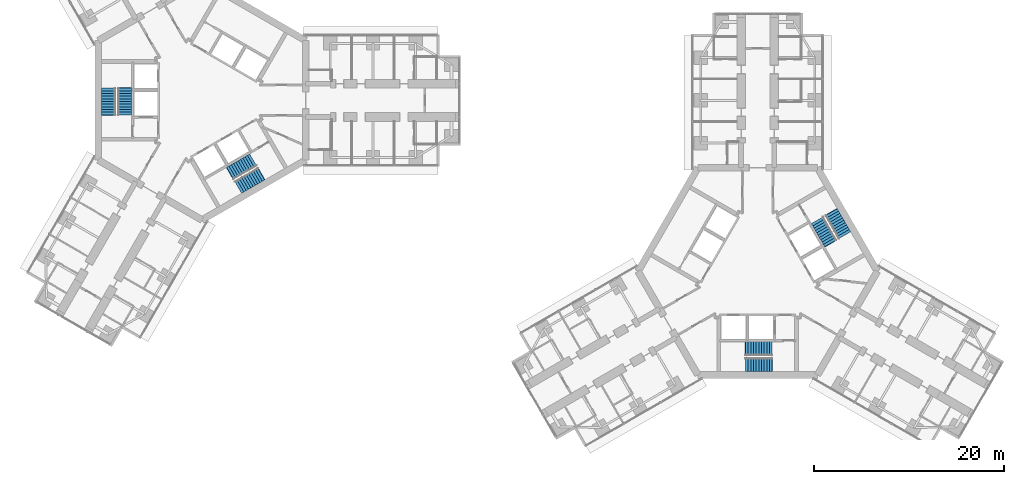
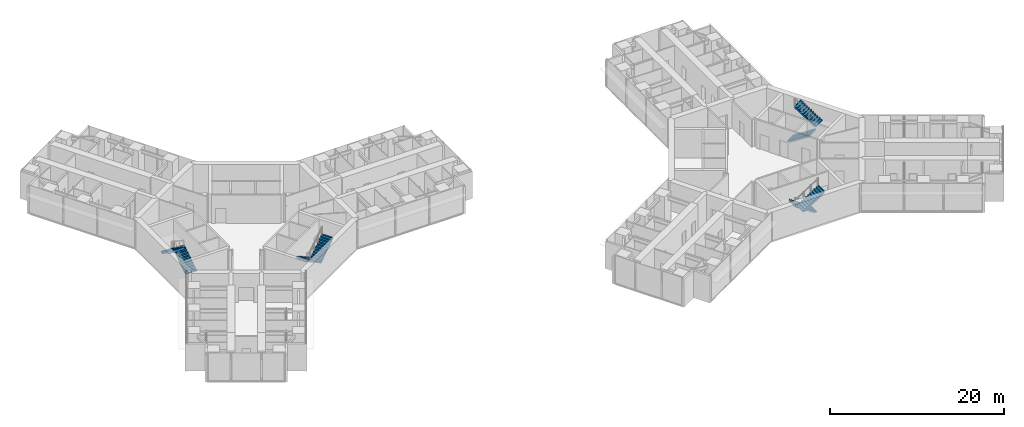
# One storey, part 24 of 25: 8 stair flights, 4 elements without a shape of their own.
"""IFC4 building model written with IfcOpenShell, lengths in metres."""

from ifc_helpers import new_model, si_unit, direction, frame, origin, place, context, subcontext, project, spatial, polyline, outline, extrude, material, type_object, element, aggregate, save


model = new_model("IFC4")

# Units and contexts
model_context = context("Model", 3, precision=1e-05, world=origin(), true_north=direction((0.0, 1.0)))
body_context = subcontext(model_context, "Body", "Model", "MODEL_VIEW")
ifc_project = project(units=[si_unit("LENGTHUNIT", "METRE"), si_unit("AREAUNIT", "SQUARE_METRE"), si_unit("VOLUMEUNIT", "CUBIC_METRE"), si_unit("PLANEANGLEUNIT", "RADIAN"), si_unit("MASSUNIT", "GRAM", prefix="KILO")], contexts=[model_context])

# Site, building, storey
site_placement = place(None, origin())
site = spatial("IfcSite", under=ifc_project, at=site_placement, CompositionType="ELEMENT")
building_placement = place(site_placement, origin())
building = spatial("IfcBuilding", under=site, at=building_placement, Name="Upepo Twin Towers", CompositionType="ELEMENT")
storey_placement = place(building_placement, frame((0.0, 0.0, 80.5)))
storey = spatial("IfcBuildingStorey", under=building, at=storey_placement, Name="L19", CompositionType="ELEMENT", Elevation=80.5)

# Stair, stair flights
ifc_material_1 = material(Name="Concrete C40/50", Category="concrete")
stair_type = type_object("IfcStairType", Name="Core stair, two flights", PredefinedType="HALF_TURN_STAIR", material=ifc_material_1)
stair_1_placement = place(storey_placement, origin())
stair_1 = element("IfcStair", 1, at=stair_1_placement, inside=storey, type_object=stair_type, Name="T1 stair S1 L19", PredefinedType="HALF_TURN_STAIR")
ifc_material_2 = material(Name="Concrete C40/50", Category="concrete")
stair_flight_type = type_object("IfcStairFlightType", Name="Stair flight 1450 RC", PredefinedType="STRAIGHT", material=ifc_material_2)
stair_flight_1_placement = place(storey_placement, frame((-8.125, -1.52001953125, 0.0), z_axis=(0.0, 0.0, 1.0), x_axis=(0.0, 1.0, 0.0)))
stair_flight_1 = element("IfcStairFlight", 2, at=stair_flight_1_placement, type_object=stair_flight_type, Name="Stair S1 flight 1", NumberOfRisers=11, NumberOfTreads=10, PredefinedType="STRAIGHT", RiserHeight=0.181818182, TreadLength=0.28, context=body_context, shape_type="SweptSolid", body=[
    extrude(outline(polyline([(0.0, 0.0), (0.0, 0.181884765625), (0.280029296875, 0.181884765625), (0.280029296875, 0.363525390625), (0.56005859375, 0.363525390625), (0.56005859375, 0.54541015625), (0.840087890625, 0.54541015625), (0.840087890625, 0.727294921875), (1.1201171875, 0.727294921875), (1.1201171875, 0.9091796875), (1.39990234375, 0.9091796875), (1.39990234375, 1.0908203125), (1.679931640625, 1.0908203125), (1.679931640625, 1.272705078125), (1.9599609375, 1.272705078125), (1.9599609375, 1.45458984375), (2.239990234375, 1.45458984375), (2.239990234375, 1.636474609375), (2.52001953125, 1.636474609375), (2.52001953125, 1.818115234375), (2.800048828125, 1.818115234375), (2.800048828125, 2.0), (2.85009765625, 2.0), (2.85009765625, 1.639404296875), (0.3251953125, 0.0), (0.0, 0.0)])), frame((0.0, 0.72509765625, 0.0), z_axis=(0.0, -1.0, 0.0), x_axis=(1.0, 0.0, 0.0)), (0.0, 0.0, 1.0), 1.449951171875),
])
stair_flight_2_placement = place(storey_placement, frame((-9.833251953125, 1.280029296875, 2.0), z_axis=(0.0, 0.0, 1.0), x_axis=(0.0, -1.0, 0.0)))
stair_flight_2 = element("IfcStairFlight", 3, at=stair_flight_2_placement, type_object=stair_flight_type, Name="Stair S1 flight 2", NumberOfRisers=11, NumberOfTreads=10, PredefinedType="STRAIGHT", RiserHeight=0.181818182, TreadLength=0.28, context=body_context, shape_type="SweptSolid", body=[
    extrude(outline(polyline([(0.0, 0.0), (0.0, 0.181884765625), (0.280029296875, 0.181884765625), (0.280029296875, 0.363525390625), (0.56005859375, 0.363525390625), (0.56005859375, 0.54541015625), (0.840087890625, 0.54541015625), (0.840087890625, 0.727294921875), (1.1201171875, 0.727294921875), (1.1201171875, 0.9091796875), (1.39990234375, 0.9091796875), (1.39990234375, 1.0908203125), (1.679931640625, 1.0908203125), (1.679931640625, 1.272705078125), (1.9599609375, 1.272705078125), (1.9599609375, 1.45458984375), (2.239990234375, 1.45458984375), (2.239990234375, 1.636474609375), (2.52001953125, 1.636474609375), (2.52001953125, 1.818115234375), (2.800048828125, 1.818115234375), (2.800048828125, 2.0), (2.85009765625, 2.0), (2.85009765625, 1.639404296875), (0.3251953125, 0.0), (0.0, 0.0)])), frame((0.0, 0.72509765625, 0.0), z_axis=(0.0, -1.0, 0.0), x_axis=(1.0, 0.0, 0.0)), (0.0, 0.0, 1.0), 1.449951171875),
])
aggregate(stair_1, [stair_flight_1, stair_flight_2])

stair_2_placement = place(storey_placement, origin())
stair_2 = element("IfcStair", 4, at=stair_2_placement, inside=storey, type_object=stair_type, Name="T1 stair S2 L19", PredefinedType="HALF_TURN_STAIR")
stair_flight_3_placement = place(storey_placement, frame((5.37890625, -6.2763671875, 0.0), z_axis=(0.0, 0.0, 1.0), x_axis=(-0.866025403784, -0.5, 0.0)))
stair_flight_3 = element("IfcStairFlight", 5, at=stair_flight_3_placement, type_object=stair_flight_type, Name="Stair S2 flight 1", NumberOfRisers=11, NumberOfTreads=10, PredefinedType="STRAIGHT", RiserHeight=0.181818182, TreadLength=0.28, context=body_context, shape_type="SweptSolid", body=[
    extrude(outline(polyline([(0.0, 0.0), (0.0, 0.181884765625), (0.280029296875, 0.181884765625), (0.280029296875, 0.363525390625), (0.56005859375, 0.363525390625), (0.56005859375, 0.54541015625), (0.840087890625, 0.54541015625), (0.840087890625, 0.727294921875), (1.1201171875, 0.727294921875), (1.1201171875, 0.9091796875), (1.39990234375, 0.9091796875), (1.39990234375, 1.0908203125), (1.679931640625, 1.0908203125), (1.679931640625, 1.272705078125), (1.9599609375, 1.272705078125), (1.9599609375, 1.45458984375), (2.239990234375, 1.45458984375), (2.239990234375, 1.636474609375), (2.52001953125, 1.636474609375), (2.52001953125, 1.818115234375), (2.800048828125, 1.818115234375), (2.800048828125, 2.0), (2.85009765625, 2.0), (2.85009765625, 1.639404296875), (0.3251953125, 0.0), (0.0, 0.0)])), frame((0.0, 0.72509765625, 0.0), z_axis=(0.0, -1.0, 0.0), x_axis=(1.0, 0.0, 0.0)), (0.0, 0.0, 1.0), 1.449951171875),
])
stair_flight_4_placement = place(storey_placement, frame((3.80810546875, -9.156005859375, 2.0), z_axis=(0.0, 0.0, 1.0), x_axis=(0.866025403784, 0.5, 0.0)))
stair_flight_4 = element("IfcStairFlight", 6, at=stair_flight_4_placement, type_object=stair_flight_type, Name="Stair S2 flight 2", NumberOfRisers=11, NumberOfTreads=10, PredefinedType="STRAIGHT", RiserHeight=0.181818182, TreadLength=0.28, context=body_context, shape_type="SweptSolid", body=[
    extrude(outline(polyline([(0.0, 0.0), (0.0, 0.181884765625), (0.280029296875, 0.181884765625), (0.280029296875, 0.363525390625), (0.56005859375, 0.363525390625), (0.56005859375, 0.54541015625), (0.840087890625, 0.54541015625), (0.840087890625, 0.727294921875), (1.1201171875, 0.727294921875), (1.1201171875, 0.9091796875), (1.39990234375, 0.9091796875), (1.39990234375, 1.0908203125), (1.679931640625, 1.0908203125), (1.679931640625, 1.272705078125), (1.9599609375, 1.272705078125), (1.9599609375, 1.45458984375), (2.239990234375, 1.45458984375), (2.239990234375, 1.636474609375), (2.52001953125, 1.636474609375), (2.52001953125, 1.818115234375), (2.800048828125, 1.818115234375), (2.800048828125, 2.0), (2.85009765625, 2.0), (2.85009765625, 1.639404296875), (0.3251953125, 0.0), (0.0, 0.0)])), frame((0.0, 0.72509765625, 0.0), z_axis=(0.0, -1.0, 0.0), x_axis=(1.0, 0.0, 0.0)), (0.0, 0.0, 1.0), 1.449951171875),
])
aggregate(stair_2, [stair_flight_3, stair_flight_4])

stair_3_placement = place(storey_placement, origin())
stair_3 = element("IfcStair", 7, at=stair_3_placement, inside=storey, type_object=stair_type, Name="T2 stair S1 L19", PredefinedType="HALF_TURN_STAIR")
stair_flight_5_placement = place(storey_placement, frame((60.02001953125, -26.125, 0.0), z_axis=(0.0, 0.0, 1.0), x_axis=(-1.0, 0.0, 0.0)))
stair_flight_5 = element("IfcStairFlight", 8, at=stair_flight_5_placement, type_object=stair_flight_type, Name="Stair S1 flight 1", NumberOfRisers=11, NumberOfTreads=10, PredefinedType="STRAIGHT", RiserHeight=0.181818182, TreadLength=0.28, context=body_context, shape_type="SweptSolid", body=[
    extrude(outline(polyline([(0.0, 0.0), (0.0, 0.181884765625), (0.280029296875, 0.181884765625), (0.280029296875, 0.363525390625), (0.56005859375, 0.363525390625), (0.56005859375, 0.54541015625), (0.840087890625, 0.54541015625), (0.840087890625, 0.727294921875), (1.1201171875, 0.727294921875), (1.1201171875, 0.9091796875), (1.39990234375, 0.9091796875), (1.39990234375, 1.0908203125), (1.679931640625, 1.0908203125), (1.679931640625, 1.272705078125), (1.9599609375, 1.272705078125), (1.9599609375, 1.45458984375), (2.239990234375, 1.45458984375), (2.239990234375, 1.636474609375), (2.52001953125, 1.636474609375), (2.52001953125, 1.818115234375), (2.800048828125, 1.818115234375), (2.800048828125, 2.0), (2.85009765625, 2.0), (2.85009765625, 1.639404296875), (0.3251953125, 0.0), (0.0, 0.0)])), frame((0.0, 0.72509765625, 0.0), z_axis=(0.0, -1.0, 0.0), x_axis=(1.0, 0.0, 0.0)), (0.0, 0.0, 1.0), 1.449951171875),
])
stair_flight_6_placement = place(storey_placement, frame((57.219970703125, -27.833251953125, 2.0), z_axis=(0.0, 0.0, 1.0), x_axis=(1.0, 0.0, 0.0)))
stair_flight_6 = element("IfcStairFlight", 9, at=stair_flight_6_placement, type_object=stair_flight_type, Name="Stair S1 flight 2", NumberOfRisers=11, NumberOfTreads=10, PredefinedType="STRAIGHT", RiserHeight=0.181818182, TreadLength=0.28, context=body_context, shape_type="SweptSolid", body=[
    extrude(outline(polyline([(0.0, 0.0), (0.0, 0.181884765625), (0.280029296875, 0.181884765625), (0.280029296875, 0.363525390625), (0.56005859375, 0.363525390625), (0.56005859375, 0.54541015625), (0.840087890625, 0.54541015625), (0.840087890625, 0.727294921875), (1.1201171875, 0.727294921875), (1.1201171875, 0.9091796875), (1.39990234375, 0.9091796875), (1.39990234375, 1.0908203125), (1.679931640625, 1.0908203125), (1.679931640625, 1.272705078125), (1.9599609375, 1.272705078125), (1.9599609375, 1.45458984375), (2.239990234375, 1.45458984375), (2.239990234375, 1.636474609375), (2.52001953125, 1.636474609375), (2.52001953125, 1.818115234375), (2.800048828125, 1.818115234375), (2.800048828125, 2.0), (2.85009765625, 2.0), (2.85009765625, 1.639404296875), (0.3251953125, 0.0), (0.0, 0.0)])), frame((0.0, 0.72509765625, 0.0), z_axis=(0.0, -1.0, 0.0), x_axis=(1.0, 0.0, 0.0)), (0.0, 0.0, 1.0), 1.449951171875),
])
aggregate(stair_3, [stair_flight_5, stair_flight_6])

stair_4_placement = place(storey_placement, origin())
stair_4 = element("IfcStair", 10, at=stair_4_placement, inside=storey, type_object=stair_type, Name="T2 stair S2 L19", PredefinedType="HALF_TURN_STAIR")
stair_flight_7_placement = place(storey_placement, frame((64.7763671875, -12.62109375, 0.0), z_axis=(0.0, 0.0, 1.0), x_axis=(0.5, -0.866025403784, 0.0)))
stair_flight_7 = element("IfcStairFlight", 11, at=stair_flight_7_placement, type_object=stair_flight_type, Name="Stair S2 flight 1", NumberOfRisers=11, NumberOfTreads=10, PredefinedType="STRAIGHT", RiserHeight=0.181818182, TreadLength=0.28, context=body_context, shape_type="SweptSolid", body=[
    extrude(outline(polyline([(0.0, 0.0), (0.0, 0.181884765625), (0.280029296875, 0.181884765625), (0.280029296875, 0.363525390625), (0.56005859375, 0.363525390625), (0.56005859375, 0.54541015625), (0.840087890625, 0.54541015625), (0.840087890625, 0.727294921875), (1.1201171875, 0.727294921875), (1.1201171875, 0.9091796875), (1.39990234375, 0.9091796875), (1.39990234375, 1.0908203125), (1.679931640625, 1.0908203125), (1.679931640625, 1.272705078125), (1.9599609375, 1.272705078125), (1.9599609375, 1.45458984375), (2.239990234375, 1.45458984375), (2.239990234375, 1.636474609375), (2.52001953125, 1.636474609375), (2.52001953125, 1.818115234375), (2.800048828125, 1.818115234375), (2.800048828125, 2.0), (2.85009765625, 2.0), (2.85009765625, 1.639404296875), (0.3251953125, 0.0), (0.0, 0.0)])), frame((0.0, 0.72509765625, 0.0), z_axis=(0.0, -1.0, 0.0), x_axis=(1.0, 0.0, 0.0)), (0.0, 0.0, 1.0), 1.449951171875),
])
stair_flight_8_placement = place(storey_placement, frame((67.656005859375, -14.19189453125, 2.0), z_axis=(0.0, 0.0, 1.0), x_axis=(-0.5, 0.866025403784, 0.0)))
stair_flight_8 = element("IfcStairFlight", 12, at=stair_flight_8_placement, type_object=stair_flight_type, Name="Stair S2 flight 2", NumberOfRisers=11, NumberOfTreads=10, PredefinedType="STRAIGHT", RiserHeight=0.181818182, TreadLength=0.28, context=body_context, shape_type="SweptSolid", body=[
    extrude(outline(polyline([(0.0, 0.0), (0.0, 0.181884765625), (0.280029296875, 0.181884765625), (0.280029296875, 0.363525390625), (0.56005859375, 0.363525390625), (0.56005859375, 0.54541015625), (0.840087890625, 0.54541015625), (0.840087890625, 0.727294921875), (1.1201171875, 0.727294921875), (1.1201171875, 0.9091796875), (1.39990234375, 0.9091796875), (1.39990234375, 1.0908203125), (1.679931640625, 1.0908203125), (1.679931640625, 1.272705078125), (1.9599609375, 1.272705078125), (1.9599609375, 1.45458984375), (2.239990234375, 1.45458984375), (2.239990234375, 1.636474609375), (2.52001953125, 1.636474609375), (2.52001953125, 1.818115234375), (2.800048828125, 1.818115234375), (2.800048828125, 2.0), (2.85009765625, 2.0), (2.85009765625, 1.639404296875), (0.3251953125, 0.0), (0.0, 0.0)])), frame((0.0, 0.72509765625, 0.0), z_axis=(0.0, -1.0, 0.0), x_axis=(1.0, 0.0, 0.0)), (0.0, 0.0, 1.0), 1.449951171875),
])
aggregate(stair_4, [stair_flight_7, stair_flight_8])

save(model, "model.ifc")
